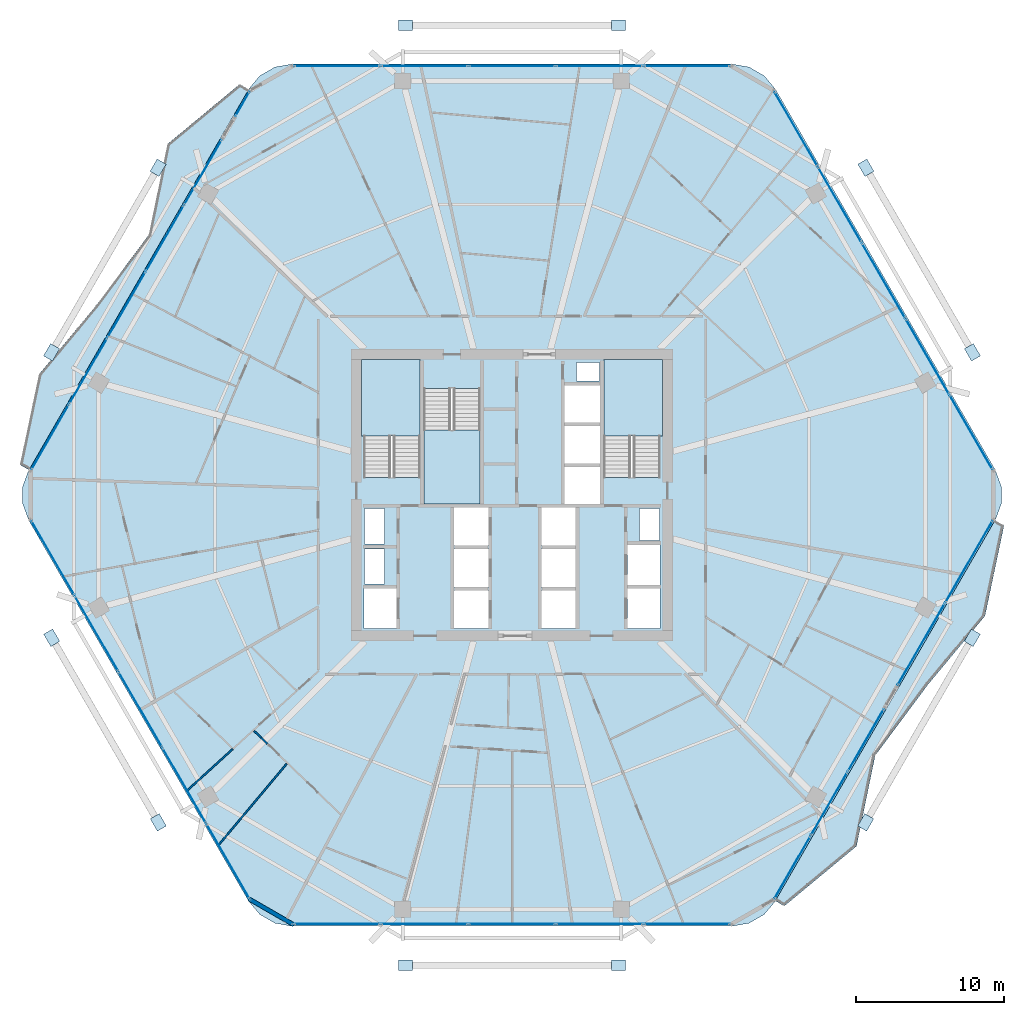
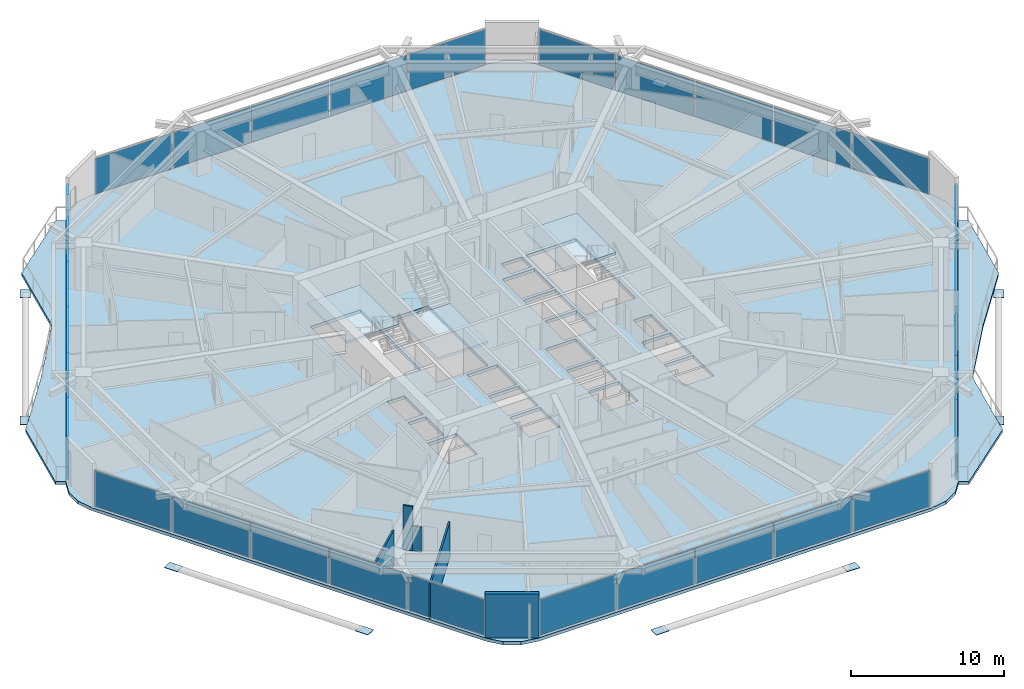
# One storey, part 25 of 33: 43 plates, 6 slabs, 5 walls, 11 elements without a shape of their own.
"""IFC4 building model written with IfcOpenShell, lengths in metres."""

from ifc_helpers import new_model, si_unit, direction, frame, frame_2d, origin, origin_2d, place, context, subcontext, project, spatial, polyline, rectangle, outline, extrude, material, layer, layer_set, type_object, element, aggregate, save


model = new_model("IFC4")

# Units and contexts
model_context = context("Model", 3, precision=1e-05, world=origin(), true_north=direction((0.0, 1.0)))
body_context = subcontext(model_context, "Body", "Model", "MODEL_VIEW")
ifc_project = project(units=[si_unit("LENGTHUNIT", "METRE"), si_unit("AREAUNIT", "SQUARE_METRE"), si_unit("VOLUMEUNIT", "CUBIC_METRE"), si_unit("PLANEANGLEUNIT", "RADIAN"), si_unit("MASSUNIT", "GRAM", prefix="KILO")], contexts=[model_context])

# Site, building, storey
site_placement = place(None, origin())
site = spatial("IfcSite", under=ifc_project, at=site_placement, CompositionType="ELEMENT")
building_placement = place(site_placement, origin())
building = spatial("IfcBuilding", under=site, at=building_placement, Name="Zuhravey Tower", CompositionType="ELEMENT")
storey_placement = place(building_placement, frame((0.0, 0.0, 141.800048828125)))
storey = spatial("IfcBuildingStorey", under=building, at=storey_placement, Name="L35", CompositionType="ELEMENT", Elevation=141.800048828125)

# Plates
ifc_material_1 = material(Name="Steel SM460", Category="steel")
ifc_layer_1 = layer(ifc_material_1, 0.0400390625)
ifc_layer_set_1 = layer_set([ifc_layer_1], Name="Steel SM460")
plate_type_1 = type_object("IfcPlateType", Name="Exoskeleton Zone 1 Node Plate ND1", PredefinedType="SHEET", material=ifc_layer_set_1)
for number, where, z_axis, x_axis, name in (
    (1, (67.078857421875, 41.63671875, -0.484130859375), (0.0, 0.0, 1.0), (-0.5, 0.866025403784, 0.0), "L35 Exoskeleton Node Gusset L35-01"),
    (2, (59.885009765625, 54.0966796875, -0.484130859375), (0.0, 0.0, 1.0), (-0.5, 0.866025403784, 0.0), "L35 Exoskeleton Node Gusset L35-02"),
    (3, (43.19384765625, 63.718505859375, -0.484130859375), (0.0, 0.0, 1.0), (-1.0, 0.0, 0.0), "L35 Exoskeleton Node Gusset L35-03"),
    (4, (28.80615234375, 63.718505859375, -0.484130859375), (0.0, 0.0, 1.0), (-1.0, 0.0, 0.0), "L35 Exoskeleton Node Gusset L35-04"),
    (5, (12.114990234375, 54.0966796875, -0.484130859375), (0.0, 0.0, 1.0), (-0.5, -0.866025403784, 0.0), "L35 Exoskeleton Node Gusset L35-05"),
    (6, (4.921142578125, 41.63671875, -0.484130859375), (0.0, 0.0, 1.0), (-0.5, -0.866025403784, 0.0), "L35 Exoskeleton Node Gusset L35-06"),
    (7, (4.93408203125, 22.370849609375, -0.484130859375), (0.0, 0.0, 1.0), (0.5, -0.866025403784, 0.0), "L35 Exoskeleton Node Gusset L35-07"),
    (8, (12.1279296875, 9.91064453125, -0.484130859375), (0.0, 0.0, 1.0), (0.5, -0.866025403784, 0.0), "L35 Exoskeleton Node Gusset L35-08"),
    (9, (28.80615234375, 0.2666015625, -0.484130859375), (0.0, 0.0, 1.0), (1.0, 0.0, 0.0), "L35 Exoskeleton Node Gusset L35-09"),
    (10, (43.19384765625, 0.2666015625, -0.484130859375), (0.0, 0.0, 1.0), (1.0, 0.0, 0.0), "L35 Exoskeleton Node Gusset L35-10"),
    (11, (59.8720703125, 9.91064453125, -0.484130859375), (0.0, 0.0, 1.0), (0.5, 0.866025403784, 0.0), "L35 Exoskeleton Node Gusset L35-11"),
    (12, (67.06591796875, 22.370849609375, -0.484130859375), (0.0, 0.0, 1.0), (0.5, 0.866025403784, 0.0), "L35 Exoskeleton Node Gusset L35-12"),
):
    element("IfcPlate", number, at=place(storey_placement, frame(where, z_axis=z_axis, x_axis=x_axis)), inside=storey, type_object=plate_type_1, Name=name, PredefinedType="SHEET", context=body_context, shape_type="SweptSolid", body=[
        extrude(rectangle(XDim=0.9599609375, YDim=0.699951171875, at=origin_2d()), origin(), (0.0, 0.0, 1.0), 0.0400390625),
    ])

# Slabs
ifc_material_2 = material(Name="Concrete C50/60", Category="concrete")
ifc_layer_2 = layer(ifc_material_2, 0.25)
ifc_layer_set_2 = layer_set([ifc_layer_2], Name="Concrete C50/60")
slab_type_1 = type_object("IfcSlabType", Name="Residential Acoustic Slab 250", PredefinedType="FLOOR", material=ifc_layer_set_2)
slab_1_placement = place(storey_placement, frame((0.0, 0.0, -0.25)))
element("IfcSlab", 13, at=slab_1_placement, inside=storey, type_object=slab_type_1, Name="L35 Floor Slab FS25", PredefinedType="FLOOR", context=body_context, shape_type="SweptSolid", body=[
    extrude(outline(polyline([(68.618408203125, 30.300048828125), (69.0224609375, 31.40966796875), (69.0224609375, 32.59033203125), (68.618408203125, 33.699951171875), (53.781494140625, 59.3984375), (53.0224609375, 60.302978515625), (52.0, 60.893310546875), (50.8369140625, 61.098388671875), (21.1630859375, 61.098388671875), (20.0, 60.893310546875), (18.9775390625, 60.302978515625), (18.218505859375, 59.3984375), (3.381591796875, 33.699951171875), (2.9775390625, 32.59033203125), (2.9775390625, 31.40966796875), (3.381591796875, 30.300048828125), (18.218505859375, 4.6015625), (18.9775390625, 3.697021484375), (20.0, 3.106689453125), (21.1630859375, 2.901611328125), (50.8369140625, 2.901611328125), (52.0, 3.106689453125), (53.0224609375, 3.697021484375), (53.781494140625, 4.6015625), (68.618408203125, 30.300048828125)]), holes=[polyline([(29.800048828125, 33.20068359375), (29.800048828125, 41.0), (26.0, 41.0), (26.0, 33.20068359375), (29.800048828125, 33.20068359375)]), polyline([(46.0, 33.20068359375), (46.0, 41.0), (42.199951171875, 41.0), (42.199951171875, 33.20068359375), (46.0, 33.20068359375)]), polyline([(30.050048828125, 39.199462890625), (30.050048828125, 31.39990234375), (33.85009765625, 31.39990234375), (33.85009765625, 39.199462890625), (30.050048828125, 39.199462890625)]), polyline([(32.10009765625, 23.0), (34.39990234375, 23.0), (34.39990234375, 25.550048828125), (32.10009765625, 25.550048828125), (32.10009765625, 23.0)]), polyline([(32.10009765625, 25.800048828125), (34.39990234375, 25.800048828125), (34.39990234375, 28.35009765625), (32.10009765625, 28.35009765625), (32.10009765625, 25.800048828125)]), polyline([(32.10009765625, 28.60009765625), (34.39990234375, 28.60009765625), (34.39990234375, 31.14990234375), (32.10009765625, 31.14990234375), (32.10009765625, 28.60009765625)]), polyline([(38.0, 23.0), (40.300048828125, 23.0), (40.300048828125, 25.550048828125), (38.0, 25.550048828125), (38.0, 23.0)]), polyline([(38.0, 25.800048828125), (40.300048828125, 25.800048828125), (40.300048828125, 28.35009765625), (38.0, 28.35009765625), (38.0, 25.800048828125)]), polyline([(38.0, 28.60009765625), (40.300048828125, 28.60009765625), (40.300048828125, 31.14990234375), (38.0, 31.14990234375), (38.0, 28.60009765625)]), polyline([(39.550048828125, 31.39990234375), (41.949951171875, 31.39990234375), (41.949951171875, 33.89990234375), (39.550048828125, 33.89990234375), (39.550048828125, 31.39990234375)]), polyline([(39.550048828125, 34.14990234375), (41.949951171875, 34.14990234375), (41.949951171875, 36.64990234375), (39.550048828125, 36.64990234375), (39.550048828125, 34.14990234375)]), polyline([(39.550048828125, 36.89990234375), (41.949951171875, 36.89990234375), (41.949951171875, 39.39990234375), (39.550048828125, 39.39990234375), (39.550048828125, 36.89990234375)]), polyline([(26.0, 23.0), (28.199951171875, 23.0), (28.199951171875, 25.699951171875), (26.0, 25.699951171875), (26.0, 23.0)]), polyline([(43.800048828125, 23.0), (46.0, 23.0), (46.0, 25.699951171875), (43.800048828125, 25.699951171875), (43.800048828125, 23.0)]), polyline([(43.800048828125, 25.949951171875), (46.0, 25.949951171875), (46.0, 28.64990234375), (43.800048828125, 28.64990234375), (43.800048828125, 25.949951171875)]), polyline([(26.050048828125, 26.0), (27.39990234375, 26.0), (27.39990234375, 28.35009765625), (26.050048828125, 28.35009765625), (26.050048828125, 26.0)]), polyline([(26.050048828125, 28.699951171875), (27.39990234375, 28.699951171875), (27.39990234375, 31.10009765625), (26.050048828125, 31.10009765625), (26.050048828125, 28.699951171875)]), polyline([(44.60009765625, 28.949951171875), (45.949951171875, 28.949951171875), (45.949951171875, 31.10009765625), (44.60009765625, 31.10009765625), (44.60009765625, 28.949951171875)]), polyline([(40.35009765625, 39.699951171875), (41.89990234375, 39.699951171875), (41.89990234375, 40.949951171875), (40.35009765625, 40.949951171875), (40.35009765625, 39.699951171875)])]), origin(), (0.0, 0.0, 1.0), 0.25),
])
ifc_material_3 = material(Name="Concrete C40/50", Category="concrete")
ifc_layer_3 = layer(ifc_material_3, 0.219970703125)
ifc_layer_set_3 = layer_set([ifc_layer_3], Name="Concrete C40/50")
slab_type_2 = type_object("IfcSlabType", Name="Sinusoidal Residential Wave Balcony 220", PredefinedType="FLOOR", material=ifc_layer_set_3)
slab_2_placement = place(storey_placement, frame((0.0, 0.0, -0.219970703125)))
element("IfcSlab", 14, at=slab_2_placement, inside=storey, type_object=slab_type_2, Name="L35 Face 6 Wave Balcony WB22", PredefinedType="FLOOR", context=body_context, shape_type="SweptSolid", body=[
    extrude(outline(polyline([(53.772705078125, 4.616455078125), (68.601318359375, 30.300048828125), (69.20751953125, 29.949951171875), (67.92138671875, 23.843505859375), (64.076904296875, 19.21435546875), (60.510986328125, 14.424072265625), (59.24951171875, 8.303466796875), (54.37890625, 4.2666015625), (53.772705078125, 4.616455078125)])), origin(), (0.0, 0.0, 1.0), 0.219970703125),
])
slab_3_placement = place(storey_placement, frame((0.0, 0.0, -0.219970703125)))
element("IfcSlab", 15, at=slab_3_placement, inside=storey, type_object=slab_type_2, Name="L35 Face 3 Wave Balcony WB22", PredefinedType="FLOOR", context=body_context, shape_type="SweptSolid", body=[
    extrude(outline(polyline([(18.227294921875, 59.383544921875), (3.398681640625, 33.699951171875), (2.79248046875, 34.050048828125), (4.07861328125, 40.156494140625), (7.923095703125, 44.78564453125), (11.489013671875, 49.575927734375), (12.75048828125, 55.696533203125), (17.62109375, 59.7333984375), (18.227294921875, 59.383544921875)])), origin(), (0.0, 0.0, 1.0), 0.219970703125),
])

# Stair, slab
stair_type = type_object("IfcStairType", Name="Housing Storey Stair Assembly 3800", PredefinedType="HALF_TURN_STAIR", material=ifc_material_3)
stair_1_placement = place(storey_placement, origin())
stair_1 = element("IfcStair", 16, at=stair_1_placement, inside=storey, type_object=stair_type, Name="L35 Core Exit Stair ST1", PredefinedType="HALF_TURN_STAIR")
ifc_layer_4 = layer(ifc_material_3, 0.199951171875)
ifc_layer_set_4 = layer_set([ifc_layer_4], Name="Concrete C40/50")
slab_type_3 = type_object("IfcSlabType", Name="Stair Landing Slab 200", PredefinedType="LANDING", material=ifc_layer_set_4)
slab_4_placement = place(storey_placement, frame((0.0, 0.0, 1.699951171875)))
slab_4 = element("IfcSlab", 17, at=slab_4_placement, type_object=slab_type_3, Name="ST1 landing 1", PredefinedType="LANDING", context=body_context, shape_type="SweptSolid", body=[
    extrude(outline(polyline([(29.800048828125, 36.0), (29.800048828125, 41.14794921875), (25.85205078125, 41.14794921875), (25.85205078125, 36.0), (29.800048828125, 36.0)])), origin(), (0.0, 0.0, 1.0), 0.199951171875),
])
aggregate(stair_1, [slab_4])

stair_2_placement = place(storey_placement, origin())
stair_2 = element("IfcStair", 18, at=stair_2_placement, inside=storey, type_object=stair_type, Name="L35 Core Exit Stair ST2", PredefinedType="HALF_TURN_STAIR")
slab_5_placement = place(storey_placement, frame((0.0, 0.0, 1.699951171875)))
slab_5 = element("IfcSlab", 19, at=slab_5_placement, type_object=slab_type_3, Name="ST2 landing 1", PredefinedType="LANDING", context=body_context, shape_type="SweptSolid", body=[
    extrude(outline(polyline([(46.14794921875, 36.0), (46.14794921875, 41.14794921875), (42.199951171875, 41.14794921875), (42.199951171875, 36.0), (46.14794921875, 36.0)])), origin(), (0.0, 0.0, 1.0), 0.199951171875),
])
aggregate(stair_2, [slab_5])

stair_3_placement = place(storey_placement, origin())
stair_3 = element("IfcStair", 20, at=stair_3_placement, inside=storey, type_object=stair_type, Name="L35 Core Exit Stair ST3", PredefinedType="HALF_TURN_STAIR")
slab_6_placement = place(storey_placement, frame((0.0, 0.0, 1.699951171875)))
slab_6 = element("IfcSlab", 21, at=slab_6_placement, type_object=slab_type_3, Name="ST3 landing 1", PredefinedType="LANDING", context=body_context, shape_type="SweptSolid", body=[
    extrude(outline(polyline([(30.050048828125, 36.39990234375), (30.050048828125, 31.39990234375), (33.85009765625, 31.39990234375), (33.85009765625, 36.39990234375), (30.050048828125, 36.39990234375)])), origin(), (0.0, 0.0, 1.0), 0.199951171875),
])
aggregate(stair_3, [slab_6])

# Curtain wall, plates
ifc_material_4 = material(Name="Thermally broken anodised aluminium", Category="aluminium")
curtain_wall_type = type_object("IfcCurtainWallType", Name="Zone 1-2 Residential Curtain Wall CW3", PredefinedType="NOTDEFINED", material=ifc_material_4)
curtain_wall_1_placement = place(storey_placement, origin())
curtain_wall_1 = element("IfcCurtainWall", 22, at=curtain_wall_1_placement, inside=storey, type_object=curtain_wall_type, Name="L35 CW3 CW-L35-F6-1", PredefinedType="NOTDEFINED")
ifc_material_5 = material(Name="Triple low-E insulated vision glass", Category="glass")
ifc_layer_5 = layer(ifc_material_5, 0.0419921875)
ifc_layer_set_5 = layer_set([ifc_layer_5], Name="Triple low-E insulated vision glass")
plate_type_2 = type_object("IfcPlateType", Name="Triple Low-E Vision Panel", PredefinedType="CURTAIN_PANEL", material=ifc_layer_set_5)
plate_1_placement = place(storey_placement, frame((66.845703125, 27.50927734375, 0.08984375), z_axis=(0.0, 0.0, 1.0), x_axis=(-0.499997594945, -0.866026792339, 0.0)))
plate_1 = element("IfcPlate", 23, at=plate_1_placement, type_object=plate_type_2, Name="CW3 panel 1.1", PredefinedType="CURTAIN_PANEL", context=body_context, shape_type="SweptSolid", body=[
    extrude(rectangle(XDim=6.351318359375, YDim=0.0419921875, at=origin_2d()), origin(), (0.0, 0.0, 1.0), 2.840087890625),
])
plate_2_placement = place(storey_placement, frame((63.625, 21.93115234375, 0.08984375), z_axis=(0.0, 0.0, 1.0), x_axis=(-0.499997594945, -0.866026792339, 0.0)))
plate_2 = element("IfcPlate", 24, at=plate_2_placement, type_object=plate_type_2, Name="CW3 panel 2.1", PredefinedType="CURTAIN_PANEL", context=body_context, shape_type="SweptSolid", body=[
    extrude(rectangle(XDim=6.351318359375, YDim=0.0419921875, at=origin_2d()), origin(), (0.0, 0.0, 1.0), 2.840087890625),
])
aggregate(curtain_wall_1, [plate_1, plate_2])

curtain_wall_2_placement = place(storey_placement, origin())
curtain_wall_2 = element("IfcCurtainWall", 25, at=curtain_wall_2_placement, inside=storey, type_object=curtain_wall_type, Name="L35 CW3 CW-L35-F6-2", PredefinedType="NOTDEFINED")
plate_3_placement = place(storey_placement, frame((59.88720703125, 15.456787109375, 0.08984375), z_axis=(0.0, 0.0, 1.0), x_axis=(-0.500003330071, -0.866023481158, 0.0)))
plate_3 = element("IfcPlate", 26, at=plate_3_placement, type_object=plate_type_2, Name="CW3 panel 1.1", PredefinedType="CURTAIN_PANEL", context=body_context, shape_type="SweptSolid", body=[
    extrude(rectangle(XDim=4.840576171875, YDim=0.0419921875, at=origin_2d()), origin(), (0.0, 0.0, 1.0), 2.840087890625),
])
plate_4_placement = place(storey_placement, frame((57.41064453125, 11.167236328125, 0.08984375), z_axis=(0.0, 0.0, 1.0), x_axis=(-0.500003330071, -0.866023481158, 0.0)))
plate_4 = element("IfcPlate", 27, at=plate_4_placement, type_object=plate_type_2, Name="CW3 panel 2.1", PredefinedType="CURTAIN_PANEL", context=body_context, shape_type="SweptSolid", body=[
    extrude(rectangle(XDim=4.885498046875, YDim=0.0419921875, at=origin_2d()), origin(), (0.0, 0.0, 1.0), 2.840087890625),
])
plate_5_placement = place(storey_placement, frame((54.93408203125, 6.8779296875, 0.08984375), z_axis=(0.0, 0.0, 1.0), x_axis=(-0.500003330071, -0.866023481158, 0.0)))
plate_5 = element("IfcPlate", 28, at=plate_5_placement, type_object=plate_type_2, Name="CW3 panel 3.1", PredefinedType="CURTAIN_PANEL", context=body_context, shape_type="SweptSolid", body=[
    extrude(rectangle(XDim=4.840576171875, YDim=0.0419921875, at=origin_2d()), origin(), (0.0, 0.0, 1.0), 2.840087890625),
])
aggregate(curtain_wall_2, [plate_3, plate_4, plate_5])

curtain_wall_3_placement = place(storey_placement, origin())
curtain_wall_3 = element("IfcCurtainWall", 29, at=curtain_wall_3_placement, inside=storey, type_object=curtain_wall_type, Name="L35 CW3 CW-L35-F5-1", PredefinedType="NOTDEFINED")
plate_6_placement = place(storey_placement, frame((47.817138671875, 3.04150390625, 0.08984375), z_axis=(0.0, 0.0, 1.0), x_axis=(-1.0, 0.0, 0.0)))
plate_6 = element("IfcPlate", 30, at=plate_6_placement, type_object=plate_type_2, Name="CW3 panel 1.1", PredefinedType="CURTAIN_PANEL", context=body_context, shape_type="SweptSolid", body=[
    extrude(rectangle(XDim=5.784912109375, YDim=0.0419921875, at=origin_2d()), origin(), (0.0, 0.0, 1.0), 2.840087890625),
])
plate_7_placement = place(storey_placement, frame((41.919921875, 3.04150390625, 0.08984375), z_axis=(0.0, 0.0, 1.0), x_axis=(-1.0, 0.0, 0.0)))
plate_7 = element("IfcPlate", 31, at=plate_7_placement, type_object=plate_type_2, Name="CW3 panel 2.1", PredefinedType="CURTAIN_PANEL", context=body_context, shape_type="SweptSolid", body=[
    extrude(rectangle(XDim=5.829833984375, YDim=0.0419921875, at=origin_2d()), origin(), (0.0, 0.0, 1.0), 2.840087890625),
])
plate_8_placement = place(storey_placement, frame((36.0, 3.04150390625, 0.08984375), z_axis=(0.0, 0.0, 1.0), x_axis=(-1.0, 0.0, 0.0)))
plate_8 = element("IfcPlate", 32, at=plate_8_placement, type_object=plate_type_2, Name="CW3 panel 3.1", PredefinedType="CURTAIN_PANEL", context=body_context, shape_type="SweptSolid", body=[
    extrude(rectangle(XDim=5.829833984375, YDim=0.0419921875, at=origin_2d()), origin(), (0.0, 0.0, 1.0), 2.840087890625),
])
plate_9_placement = place(storey_placement, frame((30.080078125, 3.04150390625, 0.08984375), z_axis=(0.0, 0.0, 1.0), x_axis=(-1.0, 0.0, 0.0)))
plate_9 = element("IfcPlate", 33, at=plate_9_placement, type_object=plate_type_2, Name="CW3 panel 4.1", PredefinedType="CURTAIN_PANEL", context=body_context, shape_type="SweptSolid", body=[
    extrude(rectangle(XDim=5.829833984375, YDim=0.0419921875, at=origin_2d()), origin(), (0.0, 0.0, 1.0), 2.840087890625),
])
plate_10_placement = place(storey_placement, frame((24.182861328125, 3.04150390625, 0.08984375), z_axis=(0.0, 0.0, 1.0), x_axis=(-1.0, 0.0, 0.0)))
plate_10 = element("IfcPlate", 34, at=plate_10_placement, type_object=plate_type_2, Name="CW3 panel 5.1", PredefinedType="CURTAIN_PANEL", context=body_context, shape_type="SweptSolid", body=[
    extrude(rectangle(XDim=5.784912109375, YDim=0.0419921875, at=origin_2d()), origin(), (0.0, 0.0, 1.0), 2.840087890625),
])
aggregate(curtain_wall_3, [plate_6, plate_7, plate_8, plate_9, plate_10])

curtain_wall_4_placement = place(storey_placement, origin())
curtain_wall_4 = element("IfcCurtainWall", 35, at=curtain_wall_4_placement, inside=storey, type_object=curtain_wall_type, Name="L35 CW3 CW-L35-F4-1", PredefinedType="NOTDEFINED")
plate_11_placement = place(storey_placement, frame((16.829833984375, 7.286865234375, 0.08984375), z_axis=(0.0, 0.0, 1.0), x_axis=(-0.499999794119, 0.86602552265, 0.0)))
plate_11 = element("IfcPlate", 36, at=plate_11_placement, type_object=plate_type_2, Name="CW3 panel 1.1", PredefinedType="CURTAIN_PANEL", context=body_context, shape_type="SweptSolid", body=[
    extrude(rectangle(XDim=5.784912109375, YDim=0.0419921875, at=origin_2d()), origin(), (0.0, 0.0, 1.0), 2.840087890625),
])
plate_12_placement = place(storey_placement, frame((13.881103515625, 12.39404296875, 0.08984375), z_axis=(0.0, 0.0, 1.0), x_axis=(-0.499999794119, 0.86602552265, 0.0)))
plate_12 = element("IfcPlate", 37, at=plate_12_placement, type_object=plate_type_2, Name="CW3 panel 2.1", PredefinedType="CURTAIN_PANEL", context=body_context, shape_type="SweptSolid", body=[
    extrude(rectangle(XDim=5.829833984375, YDim=0.0419921875, at=origin_2d()), origin(), (0.0, 0.0, 1.0), 2.840087890625),
])
plate_13_placement = place(storey_placement, frame((10.921142578125, 17.520751953125, 0.08984375), z_axis=(0.0, 0.0, 1.0), x_axis=(-0.499999794119, 0.86602552265, 0.0)))
plate_13 = element("IfcPlate", 38, at=plate_13_placement, type_object=plate_type_2, Name="CW3 panel 3.1", PredefinedType="CURTAIN_PANEL", context=body_context, shape_type="SweptSolid", body=[
    extrude(rectangle(XDim=5.829833984375, YDim=0.0419921875, at=origin_2d()), origin(), (0.0, 0.0, 1.0), 2.840087890625),
])
plate_14_placement = place(storey_placement, frame((7.96142578125, 22.6474609375, 0.08984375), z_axis=(0.0, 0.0, 1.0), x_axis=(-0.499999794119, 0.86602552265, 0.0)))
plate_14 = element("IfcPlate", 39, at=plate_14_placement, type_object=plate_type_2, Name="CW3 panel 4.1", PredefinedType="CURTAIN_PANEL", context=body_context, shape_type="SweptSolid", body=[
    extrude(rectangle(XDim=5.829833984375, YDim=0.0419921875, at=origin_2d()), origin(), (0.0, 0.0, 1.0), 2.840087890625),
])
plate_15_placement = place(storey_placement, frame((5.0126953125, 27.754638671875, 0.08984375), z_axis=(0.0, 0.0, 1.0), x_axis=(-0.499999794119, 0.86602552265, 0.0)))
plate_15 = element("IfcPlate", 40, at=plate_15_placement, type_object=plate_type_2, Name="CW3 panel 5.1", PredefinedType="CURTAIN_PANEL", context=body_context, shape_type="SweptSolid", body=[
    extrude(rectangle(XDim=5.784912109375, YDim=0.0419921875, at=origin_2d()), origin(), (0.0, 0.0, 1.0), 2.840087890625),
])
aggregate(curtain_wall_4, [plate_11, plate_12, plate_13, plate_14, plate_15])

curtain_wall_5_placement = place(storey_placement, origin())
curtain_wall_5 = element("IfcCurtainWall", 41, at=curtain_wall_5_placement, inside=storey, type_object=curtain_wall_type, Name="L35 CW3 CW-L35-F3-1", PredefinedType="NOTDEFINED")
plate_16_placement = place(storey_placement, frame((4.82470703125, 35.919921875, 0.08984375), z_axis=(0.0, 0.0, 1.0), x_axis=(0.499999819935, 0.866025507745, 0.0)))
plate_16 = element("IfcPlate", 42, at=plate_16_placement, type_object=plate_type_2, Name="CW3 panel 1.1", PredefinedType="CURTAIN_PANEL", context=body_context, shape_type="SweptSolid", body=[
    extrude(rectangle(XDim=5.033203125, YDim=0.0419921875, at=origin_2d()), origin(), (0.0, 0.0, 1.0), 2.840087890625),
])
plate_17_placement = place(storey_placement, frame((7.397705078125, 40.376220703125, 0.08984375), z_axis=(0.0, 0.0, 1.0), x_axis=(0.499999819935, 0.866025507745, 0.0)))
plate_17 = element("IfcPlate", 43, at=plate_17_placement, type_object=plate_type_2, Name="CW3 panel 2.1", PredefinedType="CURTAIN_PANEL", context=body_context, shape_type="SweptSolid", body=[
    extrude(rectangle(XDim=5.078125, YDim=0.0419921875, at=origin_2d()), origin(), (0.0, 0.0, 1.0), 2.840087890625),
])
plate_18_placement = place(storey_placement, frame((9.981689453125, 44.851806640625, 0.08984375), z_axis=(0.0, 0.0, 1.0), x_axis=(0.499999819935, 0.866025507745, 0.0)))
plate_18 = element("IfcPlate", 44, at=plate_18_placement, type_object=plate_type_2, Name="CW3 panel 3.1", PredefinedType="CURTAIN_PANEL", context=body_context, shape_type="SweptSolid", body=[
    extrude(rectangle(XDim=5.078125, YDim=0.0419921875, at=origin_2d()), origin(), (0.0, 0.0, 1.0), 2.840087890625),
])
plate_19_placement = place(storey_placement, frame((12.565673828125, 49.32763671875, 0.08984375), z_axis=(0.0, 0.0, 1.0), x_axis=(0.499999819935, 0.866025507745, 0.0)))
plate_19 = element("IfcPlate", 45, at=plate_19_placement, type_object=plate_type_2, Name="CW3 panel 4.1", PredefinedType="CURTAIN_PANEL", context=body_context, shape_type="SweptSolid", body=[
    extrude(rectangle(XDim=5.078125, YDim=0.0419921875, at=origin_2d()), origin(), (0.0, 0.0, 1.0), 2.840087890625),
])
plate_20_placement = place(storey_placement, frame((15.138671875, 53.783935546875, 0.08984375), z_axis=(0.0, 0.0, 1.0), x_axis=(0.499999819935, 0.866025507745, 0.0)))
plate_20 = element("IfcPlate", 46, at=plate_20_placement, type_object=plate_type_2, Name="CW3 panel 5.1", PredefinedType="CURTAIN_PANEL", context=body_context, shape_type="SweptSolid", body=[
    extrude(rectangle(XDim=5.033203125, YDim=0.0419921875, at=origin_2d()), origin(), (0.0, 0.0, 1.0), 2.840087890625),
])
aggregate(curtain_wall_5, [plate_16, plate_17, plate_18, plate_19, plate_20])

# Curtain wall, plate
curtain_wall_6_placement = place(storey_placement, origin())
curtain_wall_6 = element("IfcCurtainWall", 47, at=curtain_wall_6_placement, inside=storey, type_object=curtain_wall_type, Name="L35 CW3 CW-L35-F3-2", PredefinedType="NOTDEFINED")
plate_21_placement = place(storey_placement, frame((17.806396484375, 58.40478515625, 0.08984375), z_axis=(0.0, 0.0, 1.0), x_axis=(0.499990214369, 0.866031053447, 0.0)))
plate_21 = element("IfcPlate", 48, at=plate_21_placement, type_object=plate_type_2, Name="CW3 panel 1.1", PredefinedType="CURTAIN_PANEL", context=body_context, shape_type="SweptSolid", body=[
    extrude(rectangle(XDim=1.878173828125, YDim=0.0419921875, at=origin_2d()), origin(), (0.0, 0.0, 1.0), 2.840087890625),
])
aggregate(curtain_wall_6, [plate_21])

# Curtain wall, plates
curtain_wall_7_placement = place(storey_placement, origin())
curtain_wall_7 = element("IfcCurtainWall", 49, at=curtain_wall_7_placement, inside=storey, type_object=curtain_wall_type, Name="L35 CW3 CW-L35-F2-1", PredefinedType="NOTDEFINED")
plate_22_placement = place(storey_placement, frame((24.182861328125, 60.95849609375, 0.08984375), z_axis=(0.0, 0.0, 1.0), x_axis=(1.0, 0.0, 0.0)))
plate_22 = element("IfcPlate", 50, at=plate_22_placement, type_object=plate_type_2, Name="CW3 panel 1.1", PredefinedType="CURTAIN_PANEL", context=body_context, shape_type="SweptSolid", body=[
    extrude(rectangle(XDim=5.784912109375, YDim=0.0419921875, at=origin_2d()), origin(), (0.0, 0.0, 1.0), 2.840087890625),
])
plate_23_placement = place(storey_placement, frame((30.080078125, 60.95849609375, 0.08984375), z_axis=(0.0, 0.0, 1.0), x_axis=(1.0, 0.0, 0.0)))
plate_23 = element("IfcPlate", 51, at=plate_23_placement, type_object=plate_type_2, Name="CW3 panel 2.1", PredefinedType="CURTAIN_PANEL", context=body_context, shape_type="SweptSolid", body=[
    extrude(rectangle(XDim=5.829833984375, YDim=0.0419921875, at=origin_2d()), origin(), (0.0, 0.0, 1.0), 2.840087890625),
])
plate_24_placement = place(storey_placement, frame((36.0, 60.95849609375, 0.08984375), z_axis=(0.0, 0.0, 1.0), x_axis=(1.0, 0.0, 0.0)))
plate_24 = element("IfcPlate", 52, at=plate_24_placement, type_object=plate_type_2, Name="CW3 panel 3.1", PredefinedType="CURTAIN_PANEL", context=body_context, shape_type="SweptSolid", body=[
    extrude(rectangle(XDim=5.829833984375, YDim=0.0419921875, at=origin_2d()), origin(), (0.0, 0.0, 1.0), 2.840087890625),
])
plate_25_placement = place(storey_placement, frame((41.919921875, 60.95849609375, 0.08984375), z_axis=(0.0, 0.0, 1.0), x_axis=(1.0, 0.0, 0.0)))
plate_25 = element("IfcPlate", 53, at=plate_25_placement, type_object=plate_type_2, Name="CW3 panel 4.1", PredefinedType="CURTAIN_PANEL", context=body_context, shape_type="SweptSolid", body=[
    extrude(rectangle(XDim=5.829833984375, YDim=0.0419921875, at=origin_2d()), origin(), (0.0, 0.0, 1.0), 2.840087890625),
])
plate_26_placement = place(storey_placement, frame((47.817138671875, 60.95849609375, 0.08984375), z_axis=(0.0, 0.0, 1.0), x_axis=(1.0, 0.0, 0.0)))
plate_26 = element("IfcPlate", 54, at=plate_26_placement, type_object=plate_type_2, Name="CW3 panel 5.1", PredefinedType="CURTAIN_PANEL", context=body_context, shape_type="SweptSolid", body=[
    extrude(rectangle(XDim=5.784912109375, YDim=0.0419921875, at=origin_2d()), origin(), (0.0, 0.0, 1.0), 2.840087890625),
])
aggregate(curtain_wall_7, [plate_22, plate_23, plate_24, plate_25, plate_26])

curtain_wall_8_placement = place(storey_placement, origin())
curtain_wall_8 = element("IfcCurtainWall", 55, at=curtain_wall_8_placement, inside=storey, type_object=curtain_wall_type, Name="L35 CW3 CW-L35-F1-1", PredefinedType="NOTDEFINED")
plate_27_placement = place(storey_placement, frame((55.170166015625, 56.713134765625, 0.08984375), z_axis=(0.0, 0.0, 1.0), x_axis=(0.499999794119, -0.86602552265, 0.0)))
plate_27 = element("IfcPlate", 56, at=plate_27_placement, type_object=plate_type_2, Name="CW3 panel 1.1", PredefinedType="CURTAIN_PANEL", context=body_context, shape_type="SweptSolid", body=[
    extrude(rectangle(XDim=5.784912109375, YDim=0.0419921875, at=origin_2d()), origin(), (0.0, 0.0, 1.0), 2.840087890625),
])
plate_28_placement = place(storey_placement, frame((58.118896484375, 51.60595703125, 0.08984375), z_axis=(0.0, 0.0, 1.0), x_axis=(0.499999794119, -0.86602552265, 0.0)))
plate_28 = element("IfcPlate", 57, at=plate_28_placement, type_object=plate_type_2, Name="CW3 panel 2.1", PredefinedType="CURTAIN_PANEL", context=body_context, shape_type="SweptSolid", body=[
    extrude(rectangle(XDim=5.829833984375, YDim=0.0419921875, at=origin_2d()), origin(), (0.0, 0.0, 1.0), 2.840087890625),
])
plate_29_placement = place(storey_placement, frame((61.078857421875, 46.479248046875, 0.08984375), z_axis=(0.0, 0.0, 1.0), x_axis=(0.499999794119, -0.86602552265, 0.0)))
plate_29 = element("IfcPlate", 58, at=plate_29_placement, type_object=plate_type_2, Name="CW3 panel 3.1", PredefinedType="CURTAIN_PANEL", context=body_context, shape_type="SweptSolid", body=[
    extrude(rectangle(XDim=5.829833984375, YDim=0.0419921875, at=origin_2d()), origin(), (0.0, 0.0, 1.0), 2.840087890625),
])
plate_30_placement = place(storey_placement, frame((64.03857421875, 41.3525390625, 0.08984375), z_axis=(0.0, 0.0, 1.0), x_axis=(0.499999794119, -0.86602552265, 0.0)))
plate_30 = element("IfcPlate", 59, at=plate_30_placement, type_object=plate_type_2, Name="CW3 panel 4.1", PredefinedType="CURTAIN_PANEL", context=body_context, shape_type="SweptSolid", body=[
    extrude(rectangle(XDim=5.829833984375, YDim=0.0419921875, at=origin_2d()), origin(), (0.0, 0.0, 1.0), 2.840087890625),
])
plate_31_placement = place(storey_placement, frame((66.9873046875, 36.245361328125, 0.08984375), z_axis=(0.0, 0.0, 1.0), x_axis=(0.499999794119, -0.86602552265, 0.0)))
plate_31 = element("IfcPlate", 60, at=plate_31_placement, type_object=plate_type_2, Name="CW3 panel 5.1", PredefinedType="CURTAIN_PANEL", context=body_context, shape_type="SweptSolid", body=[
    extrude(rectangle(XDim=5.784912109375, YDim=0.0419921875, at=origin_2d()), origin(), (0.0, 0.0, 1.0), 2.840087890625),
])
aggregate(curtain_wall_8, [plate_27, plate_28, plate_29, plate_30, plate_31])

# Walls
ifc_material_6 = material(Name="Precast concrete C40/50", Category="concrete")
ifc_layer_6 = layer(ifc_material_6, 0.280029296875)
ifc_layer_set_6 = layer_set([ifc_layer_6], Name="Precast concrete C40/50")
wall_type_1 = type_object("IfcWallType", Name="Crown Architectural Wall 280", PredefinedType="SOLIDWALL", material=ifc_layer_set_6)
wall_1_placement = place(storey_placement, frame((21.28271484375, 2.993896484375, 0.0), z_axis=(0.0, 0.0, 1.0), x_axis=(-0.866007452331, 0.500031091541, 0.0)))
element("IfcWall", 61, at=wall_1_placement, inside=storey, type_object=wall_type_1, Name="L35 Rounded Corner Closure Wall EW28-04", PredefinedType="SOLIDWALL", context=body_context, shape_type="SweptSolid", body=[
    extrude(rectangle(XDim=3.514892578125, YDim=0.280029296875, at=frame_2d((1.75732421875, 0.0))), origin(), (0.0, 0.0, 1.0), 3.52001953125),
])
ifc_material_7 = material(Name="Gypsum metal-stud partition")
ifc_layer_7 = layer(ifc_material_7, 0.1201171875)
ifc_layer_set_7 = layer_set([ifc_layer_7], Name="Gypsum metal-stud partition")
wall_type_2 = type_object("IfcWallType", Name="Unit Internal Partition 120", PredefinedType="PARTITIONING", material=ifc_layer_set_7)
wall_2_placement = place(storey_placement, frame((20.7939453125, 13.8662109375, 0.0), z_axis=(0.0, 0.0, 1.0), x_axis=(-0.642520269692, -0.766268688539, 0.0)))
element("IfcWall", 62, at=wall_2_placement, inside=storey, type_object=wall_type_2, Name="L35 IW12 Partition 109", PredefinedType="PARTITIONING", context=body_context, shape_type="SweptSolid", body=[
    extrude(rectangle(XDim=7.187255859375, YDim=0.1201171875, at=frame_2d((3.59375, 0.0))), origin(), (0.0, 0.0, 1.0), 2.77001953125),
])
wall_3_placement = place(storey_placement, frame((19.07177734375, 15.623779296875, 0.0), z_axis=(0.0, 0.0, 1.0), x_axis=(0.719528898339, -0.694462500395, 0.0)))
element("IfcWall", 63, at=wall_3_placement, inside=storey, type_object=wall_type_2, Name="L35 IW12 Partition 110", PredefinedType="PARTITIONING", context=body_context, shape_type="SweptSolid", body=[
    extrude(rectangle(XDim=0.59423828125, YDim=0.1201171875, at=frame_2d((0.297119140625, 0.0))), origin(), (0.0, 0.0, 1.0), 1.969970703125),
])
wall_4_placement = place(storey_placement, frame((18.59619140625, 16.0830078125, 0.0), z_axis=(0.0, 0.0, 1.0), x_axis=(0.719369644431, -0.694627464668, 0.0)))
element("IfcWall", 64, at=wall_4_placement, inside=storey, type_object=wall_type_2, Name="L35 IW12 Partition 111", PredefinedType="PARTITIONING", context=body_context, shape_type="SweptSolid", body=[
    extrude(rectangle(XDim=0.6611328125, YDim=0.1201171875, at=frame_2d((0.33056640625, 0.0))), origin(), (0.0, 0.0, 1.0), 3.52001953125),
])
wall_5_placement = place(storey_placement, frame((17.150634765625, 14.8603515625, 0.0), z_axis=(0.0, 0.0, 1.0), x_axis=(-0.739873749573, -0.672745742976, 0.0)))
element("IfcWall", 65, at=wall_5_placement, inside=storey, type_object=wall_type_2, Name="L35 IW12 Partition 113", PredefinedType="PARTITIONING", context=body_context, shape_type="SweptSolid", body=[
    extrude(rectangle(XDim=4.164306640625, YDim=0.1201171875, at=frame_2d((2.08203125, 0.0))), origin(), (0.0, 0.0, 1.0), 2.77001953125),
])

save(model, "model.ifc")
